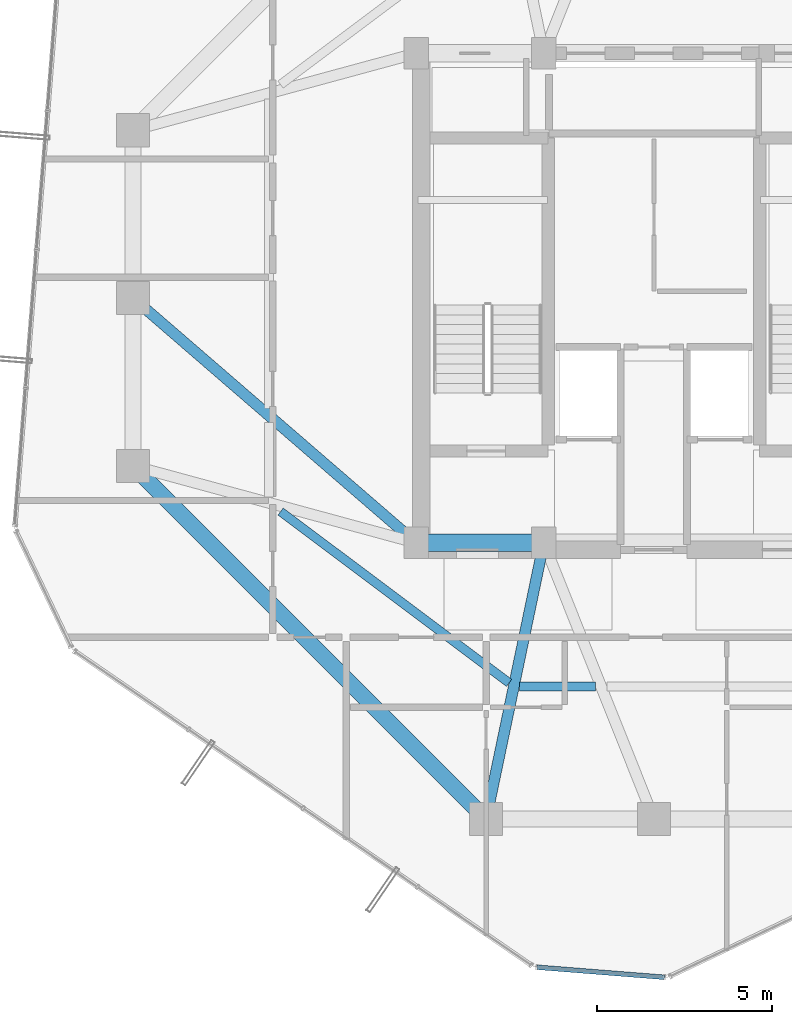
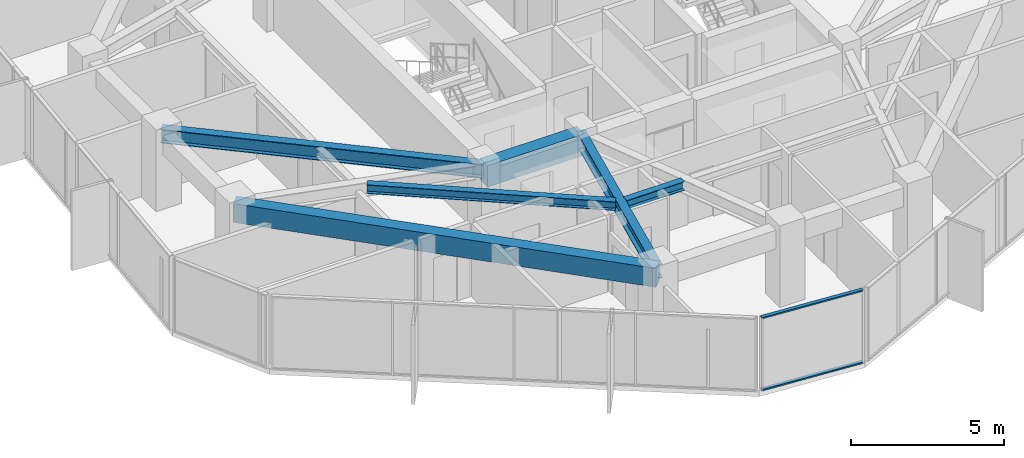
# One storey, part 5 of 29: 6 beams, 2 members, 1 element without a shape of its own.
"""IFC4 building model written with IfcOpenShell, lengths in metres."""

from ifc_helpers import new_model, si_unit, direction, frame, origin, origin_2d, place, context, subcontext, project, spatial, rectangle, hollow_rectangle, i_section, extrude, source, transform, mapped, material, layer, layer_set, material_profile, profile_set, type_object, element, aggregate, save


model = new_model("IFC4")

# Units and contexts
model_context = context("Model", 3, precision=1e-05, world=origin(), true_north=direction((0.0, 1.0)))
body_context = subcontext(model_context, "Body", "Model", "MODEL_VIEW")
ifc_project = project(units=[si_unit("LENGTHUNIT", "METRE"), si_unit("AREAUNIT", "SQUARE_METRE"), si_unit("VOLUMEUNIT", "CUBIC_METRE"), si_unit("PLANEANGLEUNIT", "RADIAN"), si_unit("MASSUNIT", "GRAM", prefix="KILO")], contexts=[model_context])

# Site, building, storey
site_placement = place(None, origin())
site = spatial("IfcSite", under=ifc_project, at=site_placement, CompositionType="ELEMENT")
building_placement = place(site_placement, origin())
building = spatial("IfcBuilding", under=site, at=building_placement, Name="Veraguas Prism Commons", CompositionType="ELEMENT")
storey_placement = place(building_placement, frame((0.0, 0.0, 222.14990234375)))
storey = spatial("IfcBuildingStorey", under=building, at=storey_placement, Name="L63", CompositionType="ELEMENT", Elevation=222.14990234375)

# Beams
ifc_material_1 = material(Name="Concrete C50/60", Category="concrete")
ifc_material_profile_1 = material_profile(ifc_material_1, rectangle(XDim=0.5, YDim=0.85009765625, at=origin_2d()), Name="RC500X850")
ifc_profile_set_1 = profile_set([ifc_material_profile_1], Name="Concrete C50/60")
beam_type_1 = type_object("IfcBeamType", Name="Core Coupling Beam RC 500x850", PredefinedType="BEAM", material=ifc_profile_set_1)
beam_1_placement = place(storey_placement, frame((17.199951171875, 17.0, 2.505126953125), z_axis=(1.0, 0.0, 0.0), x_axis=(0.0, 1.0, 0.0)))
element("IfcBeam", 1, at=beam_1_placement, inside=storey, type_object=beam_type_1, Name="Core Coupling Beam L63-CRS1", PredefinedType="BEAM", context=body_context, shape_type="SweptSolid", body=[
    extrude(rectangle(XDim=0.5, YDim=0.85009765625, at=origin_2d()), origin(), (0.0, 0.0, 1.0), 3.650146484375),
])
ifc_material_profile_2 = material_profile(ifc_material_1, rectangle(XDim=0.449951171875, YDim=0.75, at=origin_2d()), Name="RC450X750")
ifc_profile_set_2 = profile_set([ifc_material_profile_2], Name="Concrete C50/60")
beam_type_2 = type_object("IfcBeamType", Name="Perimeter Spandrel Upper RC 450x750", PredefinedType="SPANDREL", material=ifc_profile_set_2)
beam_2_placement = place(storey_placement, frame((9.10009765625, 19.199951171875, 2.55517578125), z_axis=(0.707106781187, -0.707106781187, 0.0), x_axis=(0.707106781187, 0.707106781187, 0.0)))
element("IfcBeam", 2, at=beam_2_placement, inside=storey, type_object=beam_type_2, Name="Perimeter Spandrel Beam L63-SP09", PredefinedType="SPANDREL", context=body_context, shape_type="SweptSolid", body=[
    extrude(rectangle(XDim=0.449951171875, YDim=0.75, at=origin_2d()), origin(), (0.0, 0.0, 1.0), 14.283447265625),
])
ifc_material_2 = material(Name="Steel ASTM A992 Grade 50", Category="steel")
ifc_material_profile_3 = material_profile(ifc_material_2, i_section(OverallWidth=0.25390625, OverallDepth=0.35302734375, WebThickness=0.009521484375, FlangeThickness=0.016357421875, at=origin_2d()), Name="W360X91")
ifc_profile_set_3 = profile_set([ifc_material_profile_3], Name="Steel ASTM A992 Grade 50")
beam_type_3 = type_object("IfcBeamType", Name="Upper Floor Joist W360x91", PredefinedType="JOIST", material=ifc_profile_set_3)
beam_3_placement = place(storey_placement, frame((13.320556640625, 17.89453125, 2.753662109375), z_axis=(0.800060962004, -0.599918708724, 0.0), x_axis=(0.599918708724, 0.800060962004, 0.0)))
element("IfcBeam", 3, at=beam_3_placement, inside=storey, type_object=beam_type_3, Name="Composite Floor Joist L63-JS09", PredefinedType="JOIST", context=body_context, shape_type="SweptSolid", body=[
    extrude(i_section(OverallWidth=0.25390625, OverallDepth=0.35302734375, WebThickness=0.009521484375, FlangeThickness=0.016357421875, at=origin_2d()), origin(), (0.0, 0.0, 1.0), 8.169189453125),
])
beam_4_placement = place(storey_placement, frame((20.148681640625, 12.89208984375, 2.753662109375), z_axis=(1.0, 0.0, 0.0), x_axis=(0.0, 1.0, 0.0)))
element("IfcBeam", 4, at=beam_4_placement, inside=storey, type_object=beam_type_3, Name="Composite Floor Joist L63-JS10", PredefinedType="JOIST", context=body_context, shape_type="SweptSolid", body=[
    extrude(i_section(OverallWidth=0.25390625, OverallDepth=0.35302734375, WebThickness=0.009521484375, FlangeThickness=0.016357421875, at=origin_2d()), origin(), (0.0, 0.0, 1.0), 2.174072265625),
])
ifc_material_profile_4 = material_profile(ifc_material_2, i_section(OverallWidth=0.31103515625, OverallDepth=0.5458984375, WebThickness=0.0146484375, FlangeThickness=0.023681640625, at=origin_2d()), Name="W530X165")
ifc_profile_set_4 = profile_set([ifc_material_profile_4], Name="Steel ASTM A992 Grade 50")
beam_type_4 = type_object("IfcBeamType", Name="Zone 3 Radial Girder W530x165", PredefinedType="BEAM", material=ifc_profile_set_4)
beam_5_placement = place(storey_placement, frame((9.10009765625, 24.0, 2.656982421875), z_axis=(0.756607086554, -0.653869800936, 0.0), x_axis=(0.653869800936, 0.756607086554, 0.0)))
element("IfcBeam", 5, at=beam_5_placement, inside=storey, type_object=beam_type_4, Name="Radial Floor Girder L63-RD08", PredefinedType="BEAM", context=body_context, shape_type="SweptSolid", body=[
    extrude(i_section(OverallWidth=0.31103515625, OverallDepth=0.5458984375, WebThickness=0.0146484375, FlangeThickness=0.023681640625, at=origin_2d()), origin(), (0.0, 0.0, 1.0), 10.70556640625),
])
beam_6_placement = place(storey_placement, frame((19.199951171875, 9.10009765625, 2.656982421875), z_axis=(0.204468851168, 0.978873070884, 0.0), x_axis=(-0.978873070884, 0.204468851168, 0.0)))
element("IfcBeam", 6, at=beam_6_placement, inside=storey, type_object=beam_type_4, Name="Radial Floor Girder L63-RD10", PredefinedType="BEAM", context=body_context, shape_type="SweptSolid", body=[
    extrude(i_section(OverallWidth=0.31103515625, OverallDepth=0.5458984375, WebThickness=0.0146484375, FlangeThickness=0.023681640625, at=origin_2d()), origin(), (0.0, 0.0, 1.0), 8.0703125),
])

# Curtain wall, members
ifc_material_3 = material(Name="Anodised aluminium EN AW-6063 T6", Category="aluminium")
ifc_layer = layer(ifc_material_3, 0.14990234375, Name="Unitised Flush Curtain Wall Zone 3", Category="aluminium")
ifc_layer_set = layer_set([ifc_layer], Name="Anodised aluminium EN AW-6063 T6")
curtain_wall_type = type_object("IfcCurtainWallType", Name="Unitised Flush Curtain Wall Zone 3", PredefinedType="NOTDEFINED", material=ifc_layer_set)
curtain_wall_placement = place(storey_placement, origin())
curtain_wall = element("IfcCurtainWall", 7, at=curtain_wall_placement, inside=storey, type_object=curtain_wall_type, Name="Chamfer Curtain Wall L63-C5", PredefinedType="NOTDEFINED")
ifc_material_profile_5 = material_profile(ifc_material_3, hollow_rectangle(XDim=0.054931640625, YDim=0.135009765625, WallThickness=0.0029296875, at=origin_2d()), Name="AL55X135X3")
ifc_profile_set_5 = profile_set([ifc_material_profile_5], Name="Anodised aluminium EN AW-6063 T6")
member_type = type_object("IfcMemberType", Name="Curtain Wall Transom Standard AL 55x135x3", PredefinedType="USERDEFINED", material=ifc_profile_set_5)
shared_shape = source(origin(), body_context, "Body", "SweptSolid", [
    extrude(hollow_rectangle(XDim=0.054931640625, YDim=0.135009765625, WallThickness=0.0029296875, at=origin_2d()), origin(), (0.0, 0.0, 1.0), 3.654541015625),
])
member_1_placement = place(storey_placement, frame((20.654052734375, 4.861083984375, 0.027587890625), z_axis=(0.996887933068, -0.07883177597, 0.0), x_axis=(0.0, 0.0, 1.0)))
member_1 = element("IfcMember", 8, at=member_1_placement, type_object=member_type, Name="CW-Z3 Transom 1", ObjectType="TRANSOM", PredefinedType="USERDEFINED", context=body_context, shape_type="MappedRepresentation", body=[
    mapped(shared_shape, transform((0.0, 0.0, 0.0), scale=1.0)),
])
member_2_placement = place(storey_placement, frame((20.654052734375, 4.861083984375, 2.902587890625), z_axis=(0.996887933068, -0.07883177597, 0.0), x_axis=(0.0, 0.0, 1.0)))
member_2 = element("IfcMember", 9, at=member_2_placement, type_object=member_type, Name="CW-Z3 Transom 2", ObjectType="TRANSOM", PredefinedType="USERDEFINED", context=body_context, shape_type="MappedRepresentation", body=[
    mapped(shared_shape, transform((0.0, 0.0, 0.0), scale=1.0)),
])
aggregate(curtain_wall, [member_1, member_2])

save(model, "model.ifc")
